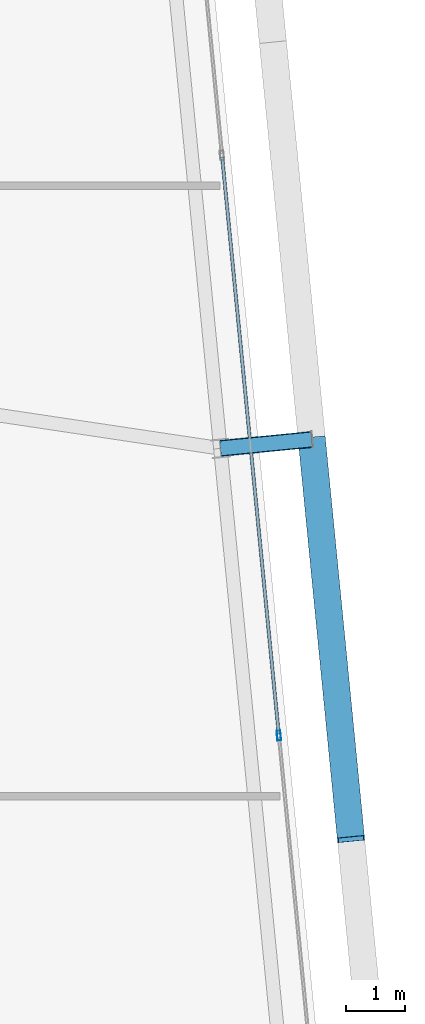
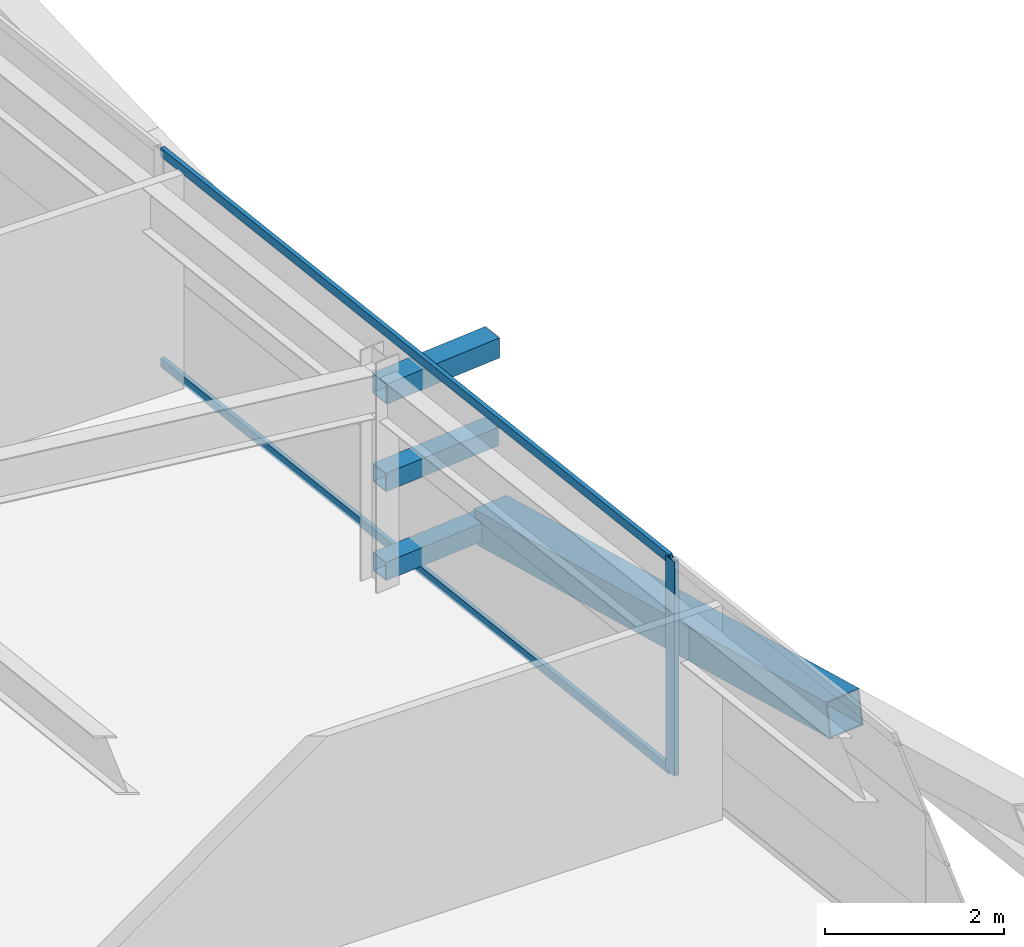
# One storey, part 21 of 47: 7 members, 1 element without a shape of its own.
"""IFC4 building model written with IfcOpenShell, lengths in metres."""

import ifcopenshell
import ifcopenshell.guid

model = None  # the IFC model being written
_history = None  # IfcOwnerHistory: only IFC2X3 demands one
_inside = {}  # id of a spatial element -> (the spatial element, [elements in it])
_under = {}  # id of a project, library or spatial element -> (it, [spatial elements below it])
_declared = {}  # id of a project -> (the project, [libraries it declares])
_typed = {}  # id of a type object -> (the type object, [elements of that type])
_made_of = {}  # id of a material, layer set ... -> (it, [elements and type objects made of it])


def new_model(schema):
    """Start an empty IFC model of exactly this schema.

    Asked for "IFC4X3", IfcOpenShell would pick the latest addendum, in which some entities
    have other attributes; the version numbers below select the first issue.
    IFC2X3 requires an IfcOwnerHistory on every rooted entity: one is made here for all.
    """
    global model, _history
    if schema == "IFC4X3":
        model = ifcopenshell.file(schema_version=(4, 3, 0, 0))
    else:
        model = ifcopenshell.file(schema=schema)
    _inside.clear()
    _under.clear()
    _declared.clear()
    _typed.clear()
    _made_of.clear()
    _history = None
    if model.schema == "IFC2X3":
        org = make("IfcOrganization", Name="unknown")
        user = make(
            "IfcPersonAndOrganization",
            ThePerson=make("IfcPerson", FamilyName="unknown"),
            TheOrganization=org,
        )
        app = make(
            "IfcApplication",
            ApplicationDeveloper=org,
            Version="unknown",
            ApplicationFullName="unknown",
            ApplicationIdentifier="unknown",
        )
        _history = make(
            "IfcOwnerHistory",
            OwningUser=user,
            OwningApplication=app,
            ChangeAction="ADDED",
            CreationDate=0,
        )
    return model


def make(cls, **values):
    """One entity of the class cls with the attributes given. An attribute that is None is left unset."""
    return model.create_entity(
        cls, **{name: value for name, value in values.items() if value is not None}
    )


def rooted(cls, **values):
    """An entity with a GlobalId (a new one), such as an element, a storey or a relation."""
    return make(cls, GlobalId=ifcopenshell.guid.new(), OwnerHistory=_history, **values)


def si_unit(unit_type, name, prefix=None):
    """IfcSIUnit, for example si_unit("LENGTHUNIT", "METRE", prefix="MILLI")."""
    return make("IfcSIUnit", UnitType=unit_type, Prefix=prefix, Name=name)


def assignment(units):
    """IfcUnitAssignment: the units of a project."""
    return None if units is None else make("IfcUnitAssignment", Units=units)


def point(xyz):
    """IfcCartesianPoint."""
    return None if xyz is None else make("IfcCartesianPoint", Coordinates=xyz)


def direction(xyz):
    """IfcDirection."""
    return None if xyz is None else make("IfcDirection", DirectionRatios=xyz)


def frame(location, z_axis=None, x_axis=None):
    """IfcAxis2Placement3D, a coordinate frame: its origin and axes. An axis left out is left unset."""
    return make(
        "IfcAxis2Placement3D",
        Location=point(location),
        Axis=direction(z_axis),
        RefDirection=direction(x_axis),
    )


def frame_2d(location, x_axis=None):
    """IfcAxis2Placement2D, a coordinate frame in the plane: its origin and x axis."""
    return make(
        "IfcAxis2Placement2D", Location=point(location), RefDirection=direction(x_axis)
    )


def origin():
    """The frame at (0, 0, 0) with its axes left unset."""
    return frame((0.0, 0.0, 0.0))


def origin_2d():
    """The frame at (0, 0) in the plane with its x axis left unset."""
    return frame_2d((0.0, 0.0))


def place(relative_to, where):
    """IfcLocalPlacement: puts the frame where relative to a parent placement (None: the world)."""
    return make(
        "IfcLocalPlacement", PlacementRelTo=relative_to, RelativePlacement=where
    )


def context(
    kind, dimensions, precision=None, world=None, true_north=None, identifier=None
):
    """IfcGeometricRepresentationContext, for example the 3D "Model" context."""
    return make(
        "IfcGeometricRepresentationContext",
        ContextIdentifier=identifier,
        ContextType=kind,
        CoordinateSpaceDimension=dimensions,
        Precision=precision,
        WorldCoordinateSystem=world,
        TrueNorth=true_north,
    )


def subcontext(parent, identifier, kind, view, scale=None):
    """IfcGeometricRepresentationSubContext, for example "Body" below "Model"."""
    return make(
        "IfcGeometricRepresentationSubContext",
        ContextIdentifier=identifier,
        ContextType=kind,
        ParentContext=parent,
        TargetScale=scale,
        TargetView=view,
    )


def project(units=None, contexts=None):
    """IfcProject with its units and contexts."""
    return rooted(
        "IfcProject",
        Name="project",
        RepresentationContexts=contexts,
        UnitsInContext=assignment(units),
    )


def spatial(cls, under=None, at=None, **own):
    """A site, building, storey or space (cls), placed at a placement, below another one or the project."""
    s = rooted(cls, ObjectPlacement=at, **own)
    if under is not None:
        _under.setdefault(under.id(), (under, []))[1].append(s)
    return s


def profile(cls, at=None, kind="AREA", **sizes):
    """A parametric profile (cls). Its sizes go by their IFC names, for example OverallWidth=200.0."""
    return make(cls, ProfileType=kind, Position=at, **sizes)


def hollow_rectangle(**sizes):
    """IfcRectangleHollowProfileDef."""
    return profile("IfcRectangleHollowProfileDef", **sizes)


def extrude(swept, where, along, depth):
    """IfcExtrudedAreaSolid: the profile swept, set in the frame where, extruded along a direction by depth."""
    return make(
        "IfcExtrudedAreaSolid",
        SweptArea=swept,
        Position=where,
        ExtrudedDirection=direction(along),
        Depth=depth,
    )


def shape(context_of_items, identifier, shape_type, items):
    """IfcShapeRepresentation: the items that make up one representation, for example the "Body"."""
    return make(
        "IfcShapeRepresentation",
        ContextOfItems=context_of_items,
        RepresentationIdentifier=identifier,
        RepresentationType=shape_type,
        Items=items,
    )


def source(mapping_origin, context_of_items, identifier, shape_type, items):
    """IfcRepresentationMap: a shape defined once, which mapped items show again and again."""
    return make(
        "IfcRepresentationMap",
        MappingOrigin=mapping_origin,
        MappedRepresentation=shape(context_of_items, identifier, shape_type, items),
    )


def transform(
    local_origin,
    x_axis=None,
    y_axis=None,
    z_axis=None,
    scale=None,
    scale2=None,
    scale3=None,
    uniform=True,
):
    """IfcCartesianTransformationOperator3D, or its non-uniform kind. x_axis, y_axis, z_axis: its Axis1, 2, 3."""
    if uniform:
        return make(
            "IfcCartesianTransformationOperator3D",
            Axis1=direction(x_axis),
            Axis2=direction(y_axis),
            LocalOrigin=point(local_origin),
            Scale=scale,
            Axis3=direction(z_axis),
        )
    return make(
        "IfcCartesianTransformationOperator3DnonUniform",
        Axis1=direction(x_axis),
        Axis2=direction(y_axis),
        LocalOrigin=point(local_origin),
        Scale=scale,
        Axis3=direction(z_axis),
        Scale2=scale2,
        Scale3=scale3,
    )


def mapped(mapping_source, mapping_target):
    """IfcMappedItem: shows the shape of a source again, moved by a transform."""
    return make(
        "IfcMappedItem", MappingSource=mapping_source, MappingTarget=mapping_target
    )


def material(Name=None, Category=None):
    """IfcMaterial."""
    return make("IfcMaterial", Name=Name, Category=Category)


def layer(
    of_material, thickness, ventilated=None, Name=None, Category=None, Priority=None
):
    """IfcMaterialLayer: one layer of a wall or slab, of a material (None: an air gap)."""
    return make(
        "IfcMaterialLayer",
        Material=of_material,
        LayerThickness=thickness,
        IsVentilated=ventilated,
        Name=Name,
        Category=Category,
        Priority=Priority,
    )


def layer_set(layers, Name=None):
    """IfcMaterialLayerSet."""
    return make("IfcMaterialLayerSet", MaterialLayers=layers, LayerSetName=Name)


def material_profile(
    of_material, cross_section, Name=None, Category=None, Priority=None
):
    """IfcMaterialProfile: a cross section and its material."""
    return make(
        "IfcMaterialProfile",
        Name=Name,
        Material=of_material,
        Profile=cross_section,
        Priority=Priority,
        Category=Category,
    )


def profile_set(profiles, Name=None, composite=None):
    """IfcMaterialProfileSet."""
    return make(
        "IfcMaterialProfileSet",
        Name=Name,
        MaterialProfiles=profiles,
        CompositeProfile=composite,
    )


def made_of(thing, what):
    """Note that an element or type object is made of a material, layer set ...; save() writes the relation."""
    if what is not None:
        _made_of.setdefault(what.id(), (what, []))[1].append(thing)
    return thing


def type_object(cls, material=None, **own):
    """A type object (cls), such as IfcWallType, which elements share."""
    return made_of(rooted(cls, **own), material)


def element(
    cls,
    number,
    at=None,
    inside=None,
    cuts=None,
    type_object=None,
    material=None,
    context=None,
    identifier="Body",
    shape_type=None,
    held_by="IfcProductDefinitionShape",
    body=None,
    shapes=None,
    **own,
):
    """One element of the class cls, such as IfcWall. Its Tag is "e" and its number.

    at: its placement. inside: the storey or other place that contains it. cuts: it is an
    opening in that element (IfcRelVoidsElement). A single representation is given by context,
    identifier, shape_type and body (its items); several are given by shapes. held_by: the class
    of the entity that holds the representations. save() writes the other relations.
    """
    e = rooted(cls, Tag="e%d" % number, ObjectPlacement=at, **own)
    if body is not None:
        shapes = [shape(context, identifier, shape_type, body)]
    if shapes is not None:
        e.Representation = make(held_by, Representations=shapes)
    if inside is not None:
        _inside.setdefault(inside.id(), (inside, []))[1].append(e)
    if cuts is not None:
        rooted(
            "IfcRelVoidsElement", RelatingBuildingElement=cuts, RelatedOpeningElement=e
        )
    if type_object is not None:
        _typed.setdefault(type_object.id(), (type_object, []))[1].append(e)
    return made_of(e, material)


def aggregate(whole, parts):
    """IfcRelAggregates: a whole, such as a stair, and the parts it consists of."""
    return rooted("IfcRelAggregates", RelatingObject=whole, RelatedObjects=parts)


def save(model, path):
    """Write the relations noted so far, then the file.

    IfcRelAggregates (storeys below a building ...), IfcRelContainedInSpatialStructure (elements
    in a storey), IfcRelDefinesByType, IfcRelAssociatesMaterial and IfcRelDeclares: one each for
    every whole, place, type object, material and project.
    """
    for whole, parts in _under.values():
        aggregate(whole, parts)
    for where, things in _inside.values():
        rooted(
            "IfcRelContainedInSpatialStructure",
            RelatedElements=things,
            RelatingStructure=where,
        )
    for kind, things in _typed.values():
        rooted("IfcRelDefinesByType", RelatedObjects=things, RelatingType=kind)
    for what, things in _made_of.values():
        rooted("IfcRelAssociatesMaterial", RelatedObjects=things, RelatingMaterial=what)
    for by, libraries in _declared.values():
        rooted("IfcRelDeclares", RelatingContext=by, RelatedDefinitions=libraries)
    model.write(path)


model = new_model("IFC4")

# Units and contexts
model_context = context("Model", 3, precision=1e-05, world=origin(), true_north=direction((0.0, 1.0)))
body_context = subcontext(model_context, "Body", "Model", "MODEL_VIEW")
ifc_project = project(units=[si_unit("LENGTHUNIT", "METRE"), si_unit("AREAUNIT", "SQUARE_METRE"), si_unit("VOLUMEUNIT", "CUBIC_METRE"), si_unit("PLANEANGLEUNIT", "RADIAN"), si_unit("MASSUNIT", "GRAM", prefix="KILO")], contexts=[model_context])

# Site, building, storey
site_placement = place(None, origin())
site = spatial("IfcSite", under=ifc_project, at=site_placement, CompositionType="ELEMENT")
building_placement = place(site_placement, origin())
building = spatial("IfcBuilding", under=site, at=building_placement, Name="Taldren Reach Tower", CompositionType="ELEMENT")
storey_placement = place(building_placement, frame((0.0, 0.0, 90.300048828125)))
storey = spatial("IfcBuildingStorey", under=building, at=storey_placement, Name="L27", CompositionType="ELEMENT", Elevation=90.300048828125)

# Members
ifc_material_1 = material(Name="Steel Gr 450 (C450L0)", Category="steel")
ifc_material_profile_1 = material_profile(ifc_material_1, hollow_rectangle(XDim=0.27490234375, YDim=0.27490234375, WallThickness=0.00927734375, at=origin_2d()), Name="275x275x9.3SHS")
ifc_profile_set_1 = profile_set([ifc_material_profile_1], Name="Steel Gr 450 (C450L0)")
member_type_1 = type_object("IfcMemberType", Name="MB-TIE273", PredefinedType="STRUT", material=ifc_profile_set_1)
shared_shape_1 = source(origin(), body_context, "Body", "SweptSolid", [
    extrude(hollow_rectangle(XDim=0.27490234375, YDim=0.27490234375, WallThickness=0.00927734375, at=origin_2d()), origin(), (0.0, 0.0, 1.0), 1.5498046875),
])
member_1_placement = place(storey_placement, frame((64.569580078125, 21.968994140625, 2.64990234375), z_axis=(0.995234821595, 0.097507178627, 0.0), x_axis=(-0.097507178627, 0.995234821595, 0.0)))
element("IfcMember", 1, at=member_1_placement, inside=storey, type_object=member_type_1, Name="Exoskeleton diaphragm tie strut B2-E2 L27", PredefinedType="STRUT", context=body_context, shape_type="MappedRepresentation", body=[
    mapped(shared_shape_1, transform((0.0, 0.0, 0.0), scale=1.0)),
])
ifc_material_2 = material(Name="Steel Gr 350 (C350L0)", Category="steel")
ifc_material_profile_2 = material_profile(ifc_material_2, hollow_rectangle(XDim=0.25, YDim=0.25, WallThickness=0.010009765625, at=origin_2d()), Name="250x250x10.0SHS")
ifc_profile_set_2 = profile_set([ifc_material_profile_2], Name="Steel Gr 350 (C350L0)")
member_type_2 = type_object("IfcMemberType", Name="MB-POST250", PredefinedType="POST", material=ifc_profile_set_2)
shared_shape_2 = source(origin(), body_context, "Body", "SweptSolid", [
    extrude(hollow_rectangle(XDim=0.25, YDim=0.25, WallThickness=0.010009765625, at=origin_2d()), origin(), (0.0, 0.0, 1.0), 1.5498046875),
])
for number, where, z_axis, x_axis, name in (
    (2, (64.569580078125, 21.968994140625, 0.219970703125), (0.995234821595, 0.097507178627, 0.0), (-0.097507178627, 0.995234821595, 0.0), "Exoskeleton base diaphragm tie strut B2-E2 L27"),
    (3, (64.569580078125, 21.968994140625, 1.43505859375), (0.995234821595, 0.097507178627, 0.0), (-0.097507178627, 0.995234821595, 0.0), "Exoskeleton mid-tier diaphragm tie B2-E2 L27"),
):
    element("IfcMember", number, at=place(storey_placement, frame(where, z_axis=z_axis, x_axis=x_axis)), inside=storey, type_object=member_type_2, Name=name, PredefinedType="POST", context=body_context, shape_type="MappedRepresentation", body=[
        mapped(shared_shape_2, transform((0.0, 0.0, 0.0), scale=1.0)),
    ])
ifc_material_profile_3 = material_profile(ifc_material_1, hollow_rectangle(XDim=0.4599609375, YDim=0.4599609375, WallThickness=0.01611328125, at=origin_2d()), Name="460x460x16.0SHS")
ifc_profile_set_3 = profile_set([ifc_material_profile_3], Name="Steel Gr 450 (C450L0)")
member_type_3 = type_object("IfcMemberType", Name="MB-EXO457", PredefinedType="BRACE", material=ifc_profile_set_3)
shared_shape_3 = source(origin(), body_context, "Body", "SweptSolid", [
    extrude(hollow_rectangle(XDim=0.4599609375, YDim=0.4599609375, WallThickness=0.01611328125, at=origin_2d()), origin(), (0.0, 0.0, 1.0), 6.883056640625),
])
member_2_placement = place(storey_placement, frame((66.112060546875, 22.1201171875, 0.219970703125), z_axis=(0.09605145821, -0.97959718347, 0.176531797456), x_axis=(0.995227290009, 0.097584021339, 0.0)))
element("IfcMember", 4, at=member_2_placement, inside=storey, type_object=member_type_3, Name="Exoskeleton Diagrid Brace B2-E1 L27", PredefinedType="BRACE", context=body_context, shape_type="MappedRepresentation", body=[
    mapped(shared_shape_3, transform((0.0, 0.0, 0.0), scale=1.0)),
])

# Curtain wall, members
ifc_material_3 = material(Name="Aluminium and Low-E Glass Unitised System", Category="aluminium")
ifc_layer = layer(ifc_material_3, 0.159912109375)
ifc_layer_set = layer_set([ifc_layer], Name="Aluminium and Low-E Glass Unitised System")
curtain_wall_type = type_object("IfcCurtainWallType", Name="CW-SYS-3", PredefinedType="NOTDEFINED", material=ifc_layer_set)
curtain_wall_placement = place(storey_placement, origin())
curtain_wall = element("IfcCurtainWall", 5, at=curtain_wall_placement, inside=storey, type_object=curtain_wall_type, Name="Unitised curtain wall CW-L27-E", PredefinedType="NOTDEFINED")
ifc_material_4 = material(Name="Anodised Aluminium 6063-T6", Category="aluminium")
ifc_material_profile_4 = material_profile(ifc_material_4, hollow_rectangle(XDim=0.06494140625, YDim=0.1650390625, WallThickness=0.00390625, at=origin_2d()), Name="ALU-165x65x4RHS")
ifc_profile_set_4 = profile_set([ifc_material_profile_4], Name="Anodised Aluminium 6063-T6")
member_type_4 = type_object("IfcMemberType", Name="CW-MUL-165", PredefinedType="MULLION", material=ifc_profile_set_4)
shared_shape_4 = source(origin(), body_context, "Body", "SweptSolid", [
    extrude(hollow_rectangle(XDim=0.06494140625, YDim=0.1650390625, WallThickness=0.00390625, at=origin_2d()), origin(), (0.0, 0.0, 1.0), 2.929931640625),
])
member_3_placement = place(storey_placement, frame((65.556884765625, 17.12548828125, 0.0), z_axis=(0.0, 0.0, 1.0), x_axis=(-0.99522741555, -0.09758274098, 0.0)))
member_3 = element("IfcMember", 6, at=member_3_placement, type_object=member_type_4, Name="CW-3 mullion 2", PredefinedType="MULLION", context=body_context, shape_type="MappedRepresentation", body=[
    mapped(shared_shape_4, transform((0.0, 0.0, 0.0), scale=1.0)),
])
ifc_material_profile_5 = material_profile(ifc_material_4, hollow_rectangle(XDim=0.054931640625, YDim=0.1201171875, WallThickness=0.0029296875, at=origin_2d()), Name="ALU-120x55x3RHS")
ifc_profile_set_5 = profile_set([ifc_material_profile_5], Name="Anodised Aluminium 6063-T6")
member_type_5 = type_object("IfcMemberType", Name="CW-TRN-135", PredefinedType="USERDEFINED", material=ifc_profile_set_5)
shared_shape_5 = source(origin(), body_context, "Body", "SweptSolid", [
    extrude(hollow_rectangle(XDim=0.054931640625, YDim=0.1201171875, WallThickness=0.0029296875, at=origin_2d()), origin(), (0.0, 0.0, 1.0), 9.768310546875),
])
member_4_placement = place(storey_placement, frame((65.5537109375, 17.15771484375, 0.02734375), z_axis=(-0.097598120756, 0.995225907432, 0.0), x_axis=(-0.995225907432, -0.097598120756, 0.0)))
member_4 = element("IfcMember", 7, at=member_4_placement, type_object=member_type_5, Name="CW-3 transom 2.1", ObjectType="TRANSOM", PredefinedType="USERDEFINED", context=body_context, shape_type="MappedRepresentation", body=[
    mapped(shared_shape_5, transform((0.0, 0.0, 0.0), scale=1.0)),
])
member_5_placement = place(storey_placement, frame((65.5537109375, 17.15771484375, 2.90234375), z_axis=(-0.097598120756, 0.995225907432, 0.0), x_axis=(-0.995225907432, -0.097598120756, 0.0)))
member_5 = element("IfcMember", 8, at=member_5_placement, type_object=member_type_5, Name="CW-3 transom 2.2", ObjectType="TRANSOM", PredefinedType="USERDEFINED", context=body_context, shape_type="MappedRepresentation", body=[
    mapped(shared_shape_5, transform((0.0, 0.0, 0.0), scale=1.0)),
])
aggregate(curtain_wall, [member_3, member_4, member_5])

save(model, "model.ifc")
